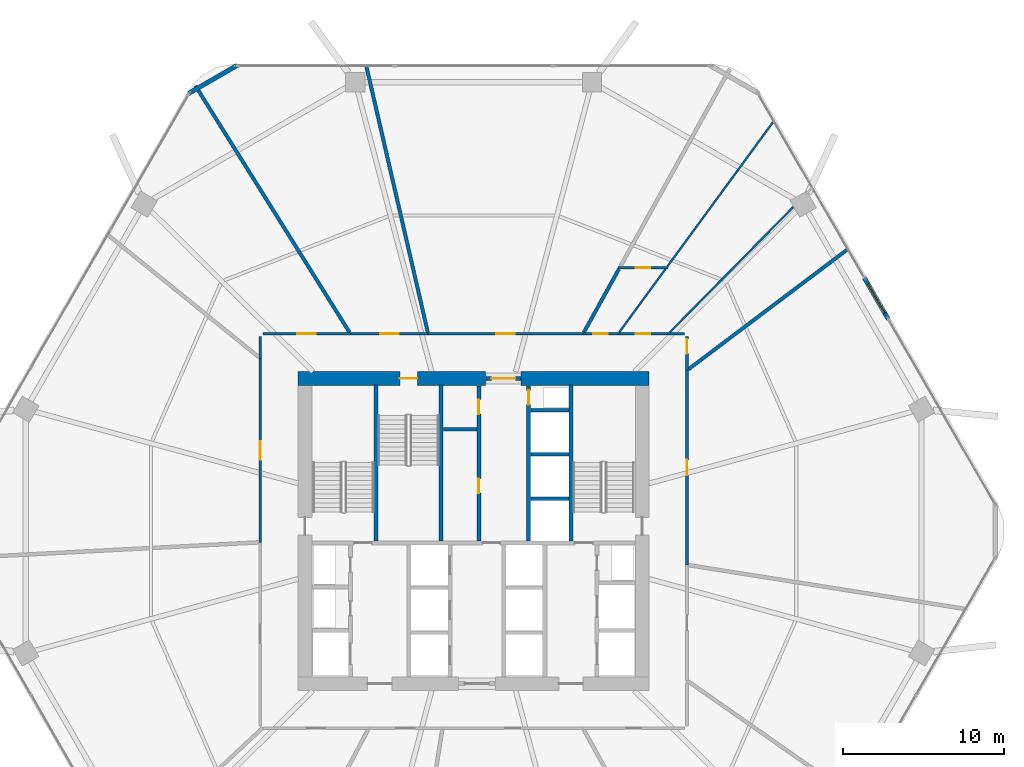
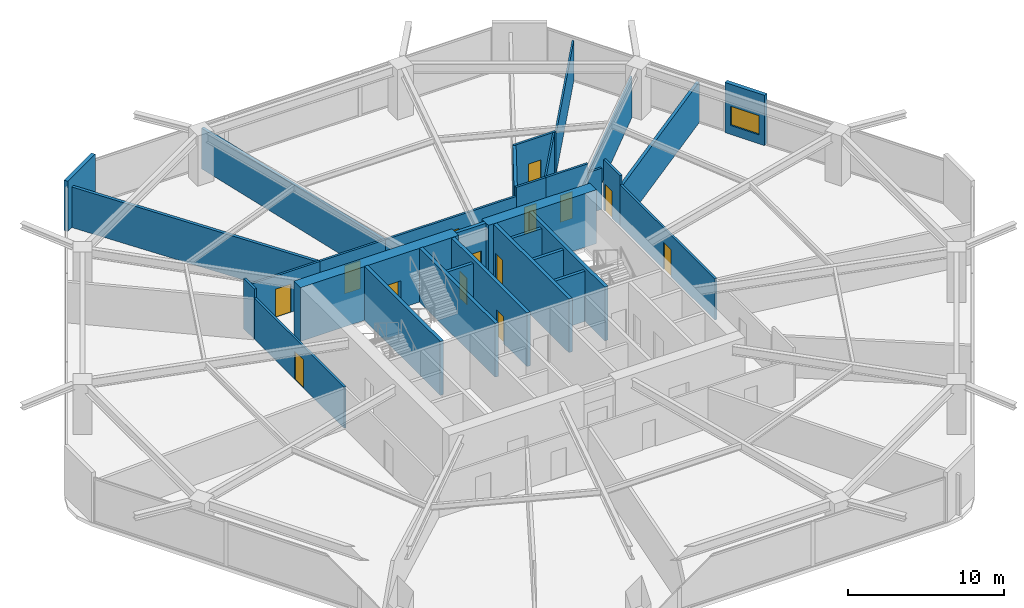
# One storey, part 23 of 25: 32 walls, 14 doors, 1 window, 15 openings.
"""IFC4 building model written with IfcOpenShell, lengths in metres."""

from ifc_helpers import new_model, si_unit, direction, frame, frame_2d, origin, place, context, subcontext, project, spatial, rectangle, extrude, material, layer, layer_set, type_object, element, fill, save


model = new_model("IFC4")

# Units and contexts
model_context = context("Model", 3, precision=1e-05, world=origin(), true_north=direction((0.0, 1.0)))
body_context = subcontext(model_context, "Body", "Model", "MODEL_VIEW")
ifc_project = project(units=[si_unit("LENGTHUNIT", "METRE"), si_unit("AREAUNIT", "SQUARE_METRE"), si_unit("VOLUMEUNIT", "CUBIC_METRE"), si_unit("PLANEANGLEUNIT", "RADIAN"), si_unit("MASSUNIT", "GRAM", prefix="KILO")], contexts=[model_context])

# Site, building, storey
site_placement = place(None, origin())
site = spatial("IfcSite", under=ifc_project, at=site_placement, CompositionType="ELEMENT")
building_placement = place(site_placement, origin())
building = spatial("IfcBuilding", under=site, at=building_placement, Name="Zuhravey Tower", CompositionType="ELEMENT")
storey_placement = place(building_placement, frame((0.0, 0.0, 37.199951171875)))
storey = spatial("IfcBuildingStorey", under=building, at=storey_placement, Name="L09", CompositionType="ELEMENT", Elevation=37.199951171875)

# Wall
ifc_material_1 = material(Name="Concrete C60/75", Category="concrete")
ifc_layer_1 = layer(ifc_material_1, 0.85009765625)
ifc_layer_set_1 = layer_set([ifc_layer_1], Name="Concrete C60/75")
wall_type_1 = type_object("IfcWallType", Name="Core Shear Wall 850", PredefinedType="SHEAR", material=ifc_layer_set_1)
wall_1_placement = place(storey_placement, frame((46.925048828125, 41.5, 0.0), z_axis=(0.0, 0.0, 1.0), x_axis=(-1.0, 0.0, 0.0)))
element("IfcWall", 1, at=wall_1_placement, inside=storey, type_object=wall_type_1, Name="L09 North-East Core Shear Wall CW85", PredefinedType="SHEAR", context=body_context, shape_type="SweptSolid", body=[
    extrude(rectangle(XDim=7.97509765625, YDim=0.85009765625, at=frame_2d((3.987548828125, 0.0))), origin(), (0.0, 0.0, 1.0), 4.199951171875),
])

# Wall, opening, door
wall_2_placement = place(storey_placement, frame((36.75, 41.5, 0.0), z_axis=(0.0, 0.0, 1.0), x_axis=(-1.0, 0.0, 0.0)))
wall_2 = element("IfcWall", 2, at=wall_2_placement, inside=storey, type_object=wall_type_1, Name="L09 North-West Core Shear Wall CW85", PredefinedType="SHEAR", context=body_context, shape_type="SweptSolid", body=[
    extrude(rectangle(XDim=11.675048828125, YDim=0.85009765625, at=frame_2d((5.83740234375, 0.0))), origin(), (0.0, 0.0, 1.0), 4.199951171875),
])
opening_1_placement = place(wall_2_placement, frame((4.25, 0.0, 0.0)))
opening_1 = element("IfcOpeningElement", 3, at=opening_1_placement, cuts=wall_2, Name="Opening STD1", PredefinedType="OPENING", context=body_context, shape_type="SweptSolid", body=[
    extrude(rectangle(XDim=1.10009765625, YDim=2.14990234375, at=frame_2d((0.550048828125, 1.074951171875))), frame((0.0, 0.43701171875, 0.0), z_axis=(0.0, -1.0, 0.0), x_axis=(1.0, 0.0, 0.0)), (0.0, 0.0, 1.0), 0.8740234375),
])
ifc_material_2 = material(Name="Galvanised fire-rated steel leaf", Category="steel")
door_type_1 = type_object("IfcDoorType", Name="Protected Stair Fire Door 1100x2150", OperationType="NOTDEFINED", PredefinedType="USERDEFINED", material=ifc_material_2)
door_1_placement = place(opening_1_placement, origin())
door_1 = element("IfcDoor", 4, at=door_1_placement, inside=storey, type_object=door_type_1, Name="L09 Stair ST3 Door", ObjectType="EXITDOOR", OperationType="SINGLE_SWING_RIGHT", OverallHeight=2.14990234375, OverallWidth=1.10009765625, PredefinedType="USERDEFINED", context=body_context, shape_type="SweptSolid", body=[
    extrude(rectangle(XDim=1.10009765625, YDim=2.14990234375, at=frame_2d((0.550048828125, 1.074951171875))), frame((0.0, 0.02490234375, 0.0), z_axis=(0.0, -1.0, 0.0), x_axis=(1.0, 0.0, 0.0)), (0.0, 0.0, 1.0), 0.050048828125),
])
fill(opening_1, door_1)

ifc_material_3 = material(Name="Gypsum fire-rated stud partition")
ifc_layer_2 = layer(ifc_material_3, 0.159912109375)
ifc_layer_set_2 = layer_set([ifc_layer_2], Name="Gypsum fire-rated stud partition")
wall_type_2 = type_object("IfcWallType", Name="Corridor Fire Partition 160", PredefinedType="PARTITIONING", material=ifc_layer_set_2)
wall_3_placement = place(storey_placement, frame((49.284912109375, 42.010986328125, 0.0), z_axis=(0.0, 0.0, 1.0), x_axis=(0.0, 1.0, 0.0)))
wall_3 = element("IfcWall", 5, at=wall_3_placement, inside=storey, type_object=wall_type_2, Name="L09 IW16 Partition 019", PredefinedType="PARTITIONING", context=body_context, shape_type="SweptSolid", body=[
    extrude(rectangle(XDim=2.114013671875, YDim=0.159912109375, at=frame_2d((1.05712890625, 0.0))), origin(), (0.0, 0.0, 1.0), 3.920166015625),
])
opening_2_placement = place(wall_3_placement, frame((1.047119140625, 0.0, 0.0)))
opening_2 = element("IfcOpeningElement", 6, at=opening_2_placement, cuts=wall_3, Name="Opening RSD1", PredefinedType="OPENING", context=body_context, shape_type="SweptSolid", body=[
    extrude(rectangle(XDim=0.89990234375, YDim=2.10009765625, at=frame_2d((0.449951171875, 1.050048828125))), frame((0.0, 0.092041015625, 0.0), z_axis=(0.0, -1.0, 0.0), x_axis=(1.0, 0.0, 0.0)), (0.0, 0.0, 1.0), 0.183837890625),
])
ifc_material_4 = material(Name="Galvanised fire-rated steel access leaf", Category="steel")
door_type_2 = type_object("IfcDoorType", Name="Riser & Shaft Access Fire Door 900x2100", OperationType="NOTDEFINED", PredefinedType="DOOR", material=ifc_material_4)
door_2_placement = place(opening_2_placement, frame((0.89990234375, 0.0, 0.0), z_axis=(0.0, 0.0, 1.0), x_axis=(-1.0, 0.0, 0.0)))
door_2 = element("IfcDoor", 7, at=door_2_placement, inside=storey, type_object=door_type_2, Name="L09 Door 019.1", OperationType="SINGLE_SWING_RIGHT", OverallHeight=2.10009765625, OverallWidth=0.89990234375, PredefinedType="DOOR", context=body_context, shape_type="SweptSolid", body=[
    extrude(rectangle(XDim=0.89990234375, YDim=2.10009765625, at=frame_2d((0.449951171875, 1.050048828125))), frame((0.0, 0.02490234375, 0.0), z_axis=(0.0, -1.0, 0.0), x_axis=(1.0, 0.0, 0.0)), (0.0, 0.0, 1.0), 0.050048828125),
])
fill(opening_2, door_2)

wall_4_placement = place(storey_placement, frame((48.11474609375, 44.284912109375, 0.0), z_axis=(0.0, 0.0, 1.0), x_axis=(-1.0, 0.0, 0.0)))
wall_4 = element("IfcWall", 8, at=wall_4_placement, inside=storey, type_object=wall_type_2, Name="L09 IW16 Partition 020", PredefinedType="PARTITIONING", context=body_context, shape_type="SweptSolid", body=[
    extrude(rectangle(XDim=3.12353515625, YDim=0.159912109375, at=frame_2d((1.561767578125, 0.0))), origin(), (0.0, 0.0, 1.0), 3.920166015625),
])
opening_3_placement = place(wall_4_placement, frame((1.11181640625, 0.0, 0.0)))
opening_3 = element("IfcOpeningElement", 9, at=opening_3_placement, cuts=wall_4, Name="Opening RSD1", PredefinedType="OPENING", context=body_context, shape_type="SweptSolid", body=[
    extrude(rectangle(XDim=0.89990234375, YDim=2.10009765625, at=frame_2d((0.449951171875, 1.050048828125))), frame((0.0, 0.092041015625, 0.0), z_axis=(0.0, -1.0, 0.0), x_axis=(1.0, 0.0, 0.0)), (0.0, 0.0, 1.0), 0.183837890625),
])
door_3_placement = place(opening_3_placement, frame((0.89990234375, 0.0, 0.0), z_axis=(0.0, 0.0, 1.0), x_axis=(-1.0, 0.0, 0.0)))
door_3 = element("IfcDoor", 10, at=door_3_placement, inside=storey, type_object=door_type_2, Name="L09 Door 020.1", OperationType="SINGLE_SWING_LEFT", OverallHeight=2.10009765625, OverallWidth=0.89990234375, PredefinedType="DOOR", context=body_context, shape_type="SweptSolid", body=[
    extrude(rectangle(XDim=0.89990234375, YDim=2.10009765625, at=frame_2d((0.449951171875, 1.050048828125))), frame((0.0, 0.02490234375, 0.0), z_axis=(0.0, -1.0, 0.0), x_axis=(1.0, 0.0, 0.0)), (0.0, 0.0, 1.0), 0.050048828125),
])
fill(opening_3, door_3)

wall_5_placement = place(storey_placement, frame((45.001953125, 48.405029296875, 0.0), z_axis=(0.0, 0.0, 1.0), x_axis=(1.0, 0.0, 0.0)))
wall_5 = element("IfcWall", 11, at=wall_5_placement, inside=storey, type_object=wall_type_2, Name="L09 IW16 Partition 021", PredefinedType="PARTITIONING", context=body_context, shape_type="SweptSolid", body=[
    extrude(rectangle(XDim=3.103759765625, YDim=0.159912109375, at=frame_2d((1.5517578125, 0.0))), origin(), (0.0, 0.0, 1.0), 3.920166015625),
])
opening_4_placement = place(wall_5_placement, frame((1.101806640625, 0.0, 0.0)))
opening_4 = element("IfcOpeningElement", 12, at=opening_4_placement, cuts=wall_5, Name="Opening RSD1", PredefinedType="OPENING", context=body_context, shape_type="SweptSolid", body=[
    extrude(rectangle(XDim=0.89990234375, YDim=2.10009765625, at=frame_2d((0.449951171875, 1.050048828125))), frame((0.0, 0.092041015625, 0.0), z_axis=(0.0, -1.0, 0.0), x_axis=(1.0, 0.0, 0.0)), (0.0, 0.0, 1.0), 0.183837890625),
])
door_4_placement = place(opening_4_placement, origin())
door_4 = element("IfcDoor", 13, at=door_4_placement, inside=storey, type_object=door_type_2, Name="L09 Door 021.1", OperationType="SINGLE_SWING_RIGHT", OverallHeight=2.10009765625, OverallWidth=0.89990234375, PredefinedType="DOOR", context=body_context, shape_type="SweptSolid", body=[
    extrude(rectangle(XDim=0.89990234375, YDim=2.10009765625, at=frame_2d((0.449951171875, 1.050048828125))), frame((0.0, 0.02490234375, 0.0), z_axis=(0.0, -1.0, 0.0), x_axis=(1.0, 0.0, 0.0)), (0.0, 0.0, 1.0), 0.050048828125),
])
fill(opening_4, door_4)

wall_6_placement = place(storey_placement, frame((44.9912109375, 44.284912109375, 0.0), z_axis=(0.0, 0.0, 1.0), x_axis=(-1.0, 0.0, 0.0)))
wall_6 = element("IfcWall", 14, at=wall_6_placement, inside=storey, type_object=wall_type_2, Name="L09 IW16 Partition 022", PredefinedType="PARTITIONING", context=body_context, shape_type="SweptSolid", body=[
    extrude(rectangle(XDim=2.181396484375, YDim=0.159912109375, at=frame_2d((1.0908203125, 0.0))), origin(), (0.0, 0.0, 1.0), 3.920166015625),
])
opening_5_placement = place(wall_6_placement, frame((0.640869140625, 0.0, 0.0)))
opening_5 = element("IfcOpeningElement", 15, at=opening_5_placement, cuts=wall_6, Name="Opening RSD1", PredefinedType="OPENING", context=body_context, shape_type="SweptSolid", body=[
    extrude(rectangle(XDim=0.89990234375, YDim=2.10009765625, at=frame_2d((0.449951171875, 1.050048828125))), frame((0.0, 0.092041015625, 0.0), z_axis=(0.0, -1.0, 0.0), x_axis=(1.0, 0.0, 0.0)), (0.0, 0.0, 1.0), 0.183837890625),
])
door_5_placement = place(opening_5_placement, frame((0.89990234375, 0.0, 0.0), z_axis=(0.0, 0.0, 1.0), x_axis=(-1.0, 0.0, 0.0)))
door_5 = element("IfcDoor", 16, at=door_5_placement, inside=storey, type_object=door_type_2, Name="L09 Door 022.1", OperationType="SINGLE_SWING_LEFT", OverallHeight=2.10009765625, OverallWidth=0.89990234375, PredefinedType="DOOR", context=body_context, shape_type="SweptSolid", body=[
    extrude(rectangle(XDim=0.89990234375, YDim=2.10009765625, at=frame_2d((0.449951171875, 1.050048828125))), frame((0.0, 0.02490234375, 0.0), z_axis=(0.0, -1.0, 0.0), x_axis=(1.0, 0.0, 0.0)), (0.0, 0.0, 1.0), 0.050048828125),
])
fill(opening_5, door_5)

wall_7_placement = place(storey_placement, frame((42.809814453125, 44.284912109375, 0.0), z_axis=(0.0, 0.0, 1.0), x_axis=(-1.0, 0.0, 0.0)))
wall_7 = element("IfcWall", 17, at=wall_7_placement, inside=storey, type_object=wall_type_2, Name="L09 IW16 Partition 023", PredefinedType="PARTITIONING", context=body_context, shape_type="SweptSolid", body=[
    extrude(rectangle(XDim=9.64599609375, YDim=0.159912109375, at=frame_2d((4.822998046875, 0.0))), origin(), (0.0, 0.0, 1.0), 3.219970703125),
])
opening_6_placement = place(wall_7_placement, frame((4.247802734375, 0.0, 0.0)))
opening_6 = element("IfcOpeningElement", 18, at=opening_6_placement, cuts=wall_7, Name="Opening CLD1", PredefinedType="OPENING", context=body_context, shape_type="SweptSolid", body=[
    extrude(rectangle(XDim=1.14990234375, YDim=2.199951171875, at=frame_2d((0.574951171875, 1.10009765625))), frame((0.0, 0.092041015625, 0.0), z_axis=(0.0, -1.0, 0.0), x_axis=(1.0, 0.0, 0.0)), (0.0, 0.0, 1.0), 0.183837890625),
])
ifc_material_5 = material(Name="Acoustic timber leaf with vision lite", Category="wood")
door_type_3 = type_object("IfcDoorType", Name="Classroom Acoustic Door 1150x2200", OperationType="NOTDEFINED", PredefinedType="DOOR", material=ifc_material_5)
door_6_placement = place(opening_6_placement, frame((1.14990234375, 0.0, 0.0), z_axis=(0.0, 0.0, 1.0), x_axis=(-1.0, 0.0, 0.0)))
door_6 = element("IfcDoor", 19, at=door_6_placement, inside=storey, type_object=door_type_3, Name="L09 Door 023.1", OperationType="SINGLE_SWING_RIGHT", OverallHeight=2.199951171875, OverallWidth=1.14990234375, PredefinedType="DOOR", context=body_context, shape_type="SweptSolid", body=[
    extrude(rectangle(XDim=1.14990234375, YDim=2.199951171875, at=frame_2d((0.574951171875, 1.10009765625))), frame((0.0, 0.02490234375, 0.0), z_axis=(0.0, -1.0, 0.0), x_axis=(1.0, 0.0, 0.0)), (0.0, 0.0, 1.0), 0.050048828125),
])
fill(opening_6, door_6)

wall_8_placement = place(storey_placement, frame((33.163818359375, 44.284912109375, 0.0), z_axis=(0.0, 0.0, 1.0), x_axis=(-1.0, 0.0, 0.0)))
wall_8 = element("IfcWall", 20, at=wall_8_placement, inside=storey, type_object=wall_type_2, Name="L09 IW16 Partition 024", PredefinedType="PARTITIONING", context=body_context, shape_type="SweptSolid", body=[
    extrude(rectangle(XDim=4.84033203125, YDim=0.159912109375, at=frame_2d((2.420166015625, 0.0))), origin(), (0.0, 0.0, 1.0), 3.219970703125),
])
opening_7_placement = place(wall_8_placement, frame((1.84521484375, 0.0, 0.0)))
opening_7 = element("IfcOpeningElement", 21, at=opening_7_placement, cuts=wall_8, Name="Opening CLD1", PredefinedType="OPENING", context=body_context, shape_type="SweptSolid", body=[
    extrude(rectangle(XDim=1.14990234375, YDim=2.199951171875, at=frame_2d((0.574951171875, 1.10009765625))), frame((0.0, 0.092041015625, 0.0), z_axis=(0.0, -1.0, 0.0), x_axis=(1.0, 0.0, 0.0)), (0.0, 0.0, 1.0), 0.183837890625),
])
door_7_placement = place(opening_7_placement, frame((1.14990234375, 0.0, 0.0), z_axis=(0.0, 0.0, 1.0), x_axis=(-1.0, 0.0, 0.0)))
door_7 = element("IfcDoor", 22, at=door_7_placement, inside=storey, type_object=door_type_3, Name="L09 Door 024.1", OperationType="SINGLE_SWING_LEFT", OverallHeight=2.199951171875, OverallWidth=1.14990234375, PredefinedType="DOOR", context=body_context, shape_type="SweptSolid", body=[
    extrude(rectangle(XDim=1.14990234375, YDim=2.199951171875, at=frame_2d((0.574951171875, 1.10009765625))), frame((0.0, 0.02490234375, 0.0), z_axis=(0.0, -1.0, 0.0), x_axis=(1.0, 0.0, 0.0)), (0.0, 0.0, 1.0), 0.050048828125),
])
fill(opening_7, door_7)

wall_9_placement = place(storey_placement, frame((28.323486328125, 44.284912109375, 0.0), z_axis=(0.0, 0.0, 1.0), x_axis=(-1.0, 0.0, 0.0)))
wall_9 = element("IfcWall", 23, at=wall_9_placement, inside=storey, type_object=wall_type_2, Name="L09 IW16 Partition 025", PredefinedType="PARTITIONING", context=body_context, shape_type="SweptSolid", body=[
    extrude(rectangle(XDim=5.448486328125, YDim=0.159912109375, at=frame_2d((2.72412109375, 0.0))), origin(), (0.0, 0.0, 1.0), 3.219970703125),
])
opening_8_placement = place(wall_9_placement, frame((2.149169921875, 0.0, 0.0)))
opening_8 = element("IfcOpeningElement", 24, at=opening_8_placement, cuts=wall_9, Name="Opening CLD1", PredefinedType="OPENING", context=body_context, shape_type="SweptSolid", body=[
    extrude(rectangle(XDim=1.14990234375, YDim=2.199951171875, at=frame_2d((0.574951171875, 1.10009765625))), frame((0.0, 0.092041015625, 0.0), z_axis=(0.0, -1.0, 0.0), x_axis=(1.0, 0.0, 0.0)), (0.0, 0.0, 1.0), 0.183837890625),
])
door_8_placement = place(opening_8_placement, frame((1.14990234375, 0.0, 0.0), z_axis=(0.0, 0.0, 1.0), x_axis=(-1.0, 0.0, 0.0)))
door_8 = element("IfcDoor", 25, at=door_8_placement, inside=storey, type_object=door_type_3, Name="L09 Door 025.1", OperationType="SINGLE_SWING_RIGHT", OverallHeight=2.199951171875, OverallWidth=1.14990234375, PredefinedType="DOOR", context=body_context, shape_type="SweptSolid", body=[
    extrude(rectangle(XDim=1.14990234375, YDim=2.199951171875, at=frame_2d((0.574951171875, 1.10009765625))), frame((0.0, 0.02490234375, 0.0), z_axis=(0.0, -1.0, 0.0), x_axis=(1.0, 0.0, 0.0)), (0.0, 0.0, 1.0), 0.050048828125),
])
fill(opening_8, door_8)

wall_10_placement = place(storey_placement, frame((22.715087890625, 42.758056640625, 0.0), z_axis=(0.0, 0.0, 1.0), x_axis=(0.0, -1.0, 0.0)))
wall_10 = element("IfcWall", 26, at=wall_10_placement, inside=storey, type_object=wall_type_2, Name="L09 IW16 Partition 026", PredefinedType="PARTITIONING", context=body_context, shape_type="SweptSolid", body=[
    extrude(rectangle(XDim=11.454345703125, YDim=0.159912109375, at=frame_2d((5.72705078125, 0.0))), origin(), (0.0, 0.0, 1.0), 3.219970703125),
])
opening_9_placement = place(wall_10_placement, frame((5.152099609375, 0.0, 0.0)))
opening_9 = element("IfcOpeningElement", 27, at=opening_9_placement, cuts=wall_10, Name="Opening CLD1", PredefinedType="OPENING", context=body_context, shape_type="SweptSolid", body=[
    extrude(rectangle(XDim=1.14990234375, YDim=2.199951171875, at=frame_2d((0.574951171875, 1.10009765625))), frame((0.0, 0.092041015625, 0.0), z_axis=(0.0, -1.0, 0.0), x_axis=(1.0, 0.0, 0.0)), (0.0, 0.0, 1.0), 0.183837890625),
])
door_9_placement = place(opening_9_placement, frame((1.14990234375, 0.0, 0.0), z_axis=(0.0, 0.0, 1.0), x_axis=(-1.0, 0.0, 0.0)))
door_9 = element("IfcDoor", 28, at=door_9_placement, inside=storey, type_object=door_type_3, Name="L09 Door 026.1", OperationType="SINGLE_SWING_LEFT", OverallHeight=2.199951171875, OverallWidth=1.14990234375, PredefinedType="DOOR", context=body_context, shape_type="SweptSolid", body=[
    extrude(rectangle(XDim=1.14990234375, YDim=2.199951171875, at=frame_2d((0.574951171875, 1.10009765625))), frame((0.0, 0.02490234375, 0.0), z_axis=(0.0, -1.0, 0.0), x_axis=(1.0, 0.0, 0.0)), (0.0, 0.0, 1.0), 0.050048828125),
])
fill(opening_9, door_9)

wall_11_placement = place(storey_placement, frame((49.284912109375, 29.89599609375, 0.0), z_axis=(0.0, 0.0, 1.0), x_axis=(0.0, 1.0, 0.0)))
wall_11 = element("IfcWall", 29, at=wall_11_placement, inside=storey, type_object=wall_type_2, Name="L09 IW16 Partition 033", PredefinedType="PARTITIONING", context=body_context, shape_type="SweptSolid", body=[
    extrude(rectangle(XDim=12.114990234375, YDim=0.159912109375, at=frame_2d((6.0576171875, 0.0))), origin(), (0.0, 0.0, 1.0), 3.219970703125),
])
opening_10_placement = place(wall_11_placement, frame((5.58251953125, 0.0, 0.0)))
opening_10 = element("IfcOpeningElement", 30, at=opening_10_placement, cuts=wall_11, Name="Opening IND1", PredefinedType="OPENING", context=body_context, shape_type="SweptSolid", body=[
    extrude(rectangle(XDim=0.949951171875, YDim=2.10009765625, at=frame_2d((0.47509765625, 1.050048828125))), frame((0.0, 0.092041015625, 0.0), z_axis=(0.0, -1.0, 0.0), x_axis=(1.0, 0.0, 0.0)), (0.0, 0.0, 1.0), 0.183837890625),
])
ifc_material_6 = material(Name="Painted engineered timber leaf", Category="wood")
door_type_4 = type_object("IfcDoorType", Name="Internal Room & Bedroom Door 950x2100", OperationType="NOTDEFINED", PredefinedType="DOOR", material=ifc_material_6)
door_10_placement = place(opening_10_placement, frame((0.949951171875, 0.0, 0.0), z_axis=(0.0, 0.0, 1.0), x_axis=(-1.0, 0.0, 0.0)))
door_10 = element("IfcDoor", 31, at=door_10_placement, inside=storey, type_object=door_type_4, Name="L09 Door 033.1", OperationType="SINGLE_SWING_RIGHT", OverallHeight=2.10009765625, OverallWidth=0.949951171875, PredefinedType="DOOR", context=body_context, shape_type="SweptSolid", body=[
    extrude(rectangle(XDim=0.949951171875, YDim=2.10009765625, at=frame_2d((0.47509765625, 1.050048828125))), frame((0.0, 0.02490234375, 0.0), z_axis=(0.0, -1.0, 0.0), x_axis=(1.0, 0.0, 0.0)), (0.0, 0.0, 1.0), 0.050048828125),
])
fill(opening_10, door_10)

# Walls
wall_12_placement = place(storey_placement, frame((49.125, 44.284912109375, 0.0), z_axis=(0.0, 0.0, 1.0), x_axis=(-1.0, 0.0, 0.0)))
element("IfcWall", 32, at=wall_12_placement, inside=storey, type_object=wall_type_2, Name="L09 IW16 Partition 043", PredefinedType="PARTITIONING", context=body_context, shape_type="SweptSolid", body=[
    extrude(rectangle(XDim=1.01025390625, YDim=0.159912109375, at=frame_2d((0.505126953125, 0.0))), origin(), (0.0, 0.0, 1.0), 3.219970703125),
])
wall_13_placement = place(storey_placement, frame((22.715087890625, 44.125, 0.0), z_axis=(0.0, 0.0, 1.0), x_axis=(0.0, -1.0, 0.0)))
element("IfcWall", 33, at=wall_13_placement, inside=storey, type_object=wall_type_2, Name="L09 IW16 Partition 052", PredefinedType="PARTITIONING", context=body_context, shape_type="SweptSolid", body=[
    extrude(rectangle(XDim=1.366943359375, YDim=0.159912109375, at=frame_2d((0.68359375, 0.0))), origin(), (0.0, 0.0, 1.0), 3.920166015625),
])
ifc_material_7 = material(Name="Precast concrete C40/50", Category="concrete")
ifc_layer_3 = layer(ifc_material_7, 0.280029296875)
ifc_layer_set_3 = layer_set([ifc_layer_3], Name="Precast concrete C40/50")
wall_type_3 = type_object("IfcWallType", Name="Crown Architectural Wall 280", PredefinedType="SOLIDWALL", material=ifc_layer_set_3)
wall_14_placement = place(storey_placement, frame((18.23876953125, 59.24853515625, 0.0), z_axis=(0.0, 0.0, 1.0), x_axis=(0.866007452331, 0.500031091541, 0.0)))
element("IfcWall", 34, at=wall_14_placement, inside=storey, type_object=wall_type_3, Name="L09 Rounded Corner Closure Wall EW28-08", PredefinedType="SOLIDWALL", context=body_context, shape_type="SweptSolid", body=[
    extrude(rectangle(XDim=3.514892578125, YDim=0.280029296875, at=frame_2d((1.75732421875, 0.0))), origin(), (0.0, 0.0, 1.0), 3.920166015625),
])

# Wall, opening, window
wall_15_placement = place(storey_placement, frame((60.34375, 47.752197265625, 0.0), z_axis=(0.0, 0.0, 1.0), x_axis=(0.500024377727, -0.866011328839, 0.0)))
wall_15 = element("IfcWall", 35, at=wall_15_placement, inside=storey, type_object=wall_type_3, Name="L09 Face 1 Facade Pier EW28-1", PredefinedType="SOLIDWALL", context=body_context, shape_type="SweptSolid", body=[
    extrude(rectangle(XDim=2.939697265625, YDim=0.280029296875, at=frame_2d((1.4697265625, 0.0))), origin(), (0.0, 0.0, 1.0), 3.920166015625),
])
opening_11_placement = place(wall_15_placement, frame((0.419921875, 0.0, 0.699951171875)))
opening_11 = element("IfcOpeningElement", 36, at=opening_11_placement, cuts=wall_15, Name="Opening WN3", PredefinedType="OPENING", context=body_context, shape_type="SweptSolid", body=[
    extrude(rectangle(XDim=2.10009765625, YDim=1.5, at=frame_2d((1.050048828125, 0.75))), frame((0.0, 0.152099609375, 0.0), z_axis=(0.0, -1.0, 0.0), x_axis=(1.0, 0.0, 0.0)), (0.0, 0.0, 1.0), 0.303955078125),
])
ifc_material_8 = material(Name="Thermally broken aluminium and triple low-E glass", Category="aluminium")
window_type = type_object("IfcWindowType", Name="School Pavilion Window 2100x1500", PartitioningType="SINGLE_PANEL", PredefinedType="WINDOW", material=ifc_material_8)
window_placement = place(opening_11_placement, origin())
window = element("IfcWindow", 37, at=window_placement, inside=storey, type_object=window_type, Name="L09 Face 1 Feature Window", OverallHeight=1.5, OverallWidth=2.10009765625, PartitioningType="SINGLE_PANEL", PredefinedType="WINDOW", context=body_context, shape_type="SweptSolid", body=[
    extrude(rectangle(XDim=2.10009765625, YDim=1.5, at=frame_2d((1.050048828125, 0.75))), frame((0.0, 0.030029296875, 0.0), z_axis=(0.0, -1.0, 0.0), x_axis=(1.0, 0.0, 0.0)), (0.0, 0.0, 1.0), 0.06005859375),
])
fill(opening_11, window)

# Wall, opening, door
ifc_material_9 = material(Name="Concrete C50/60", Category="concrete")
ifc_layer_4 = layer(ifc_material_9, 0.25)
ifc_layer_set_4 = layer_set([ifc_layer_4], Name="Concrete C50/60")
wall_type_4 = type_object("IfcWallType", Name="Firefighting Shaft & Stair Wall 250", PredefinedType="SOLIDWALL", material=ifc_layer_set_4)
wall_16_placement = place(storey_placement, frame((36.760009765625, 41.5, 0.0), z_axis=(0.0, 0.0, 1.0), x_axis=(1.0, 0.0, 0.0)))
wall_16 = element("IfcWall", 38, at=wall_16_placement, inside=storey, type_object=wall_type_4, Name="L09 FW25 Shaft Wall 002", PredefinedType="SOLIDWALL", context=body_context, shape_type="SweptSolid", body=[
    extrude(rectangle(XDim=2.179931640625, YDim=0.25, at=frame_2d((1.08984375, 0.0))), origin(), (0.0, 0.0, 1.0), 4.199951171875),
])
opening_12_placement = place(wall_16_placement, frame((0.340087890625, 0.0, 0.0)))
opening_12 = element("IfcOpeningElement", 39, at=opening_12_placement, cuts=wall_16, Name="Opening FFD1", PredefinedType="OPENING", context=body_context, shape_type="SweptSolid", body=[
    extrude(rectangle(XDim=1.5, YDim=2.14990234375, at=frame_2d((0.75, 1.074951171875))), frame((0.0, 0.136962890625, 0.0), z_axis=(0.0, -1.0, 0.0), x_axis=(1.0, 0.0, 0.0)), (0.0, 0.0, 1.0), 0.27392578125),
])
door_type_5 = type_object("IfcDoorType", Name="Firefighting Lobby Double Door 1500x2150", OperationType="DOUBLE_DOOR_SINGLE_SWING", PredefinedType="DOOR", material=ifc_material_2)
door_11_placement = place(opening_12_placement, origin())
door_11 = element("IfcDoor", 40, at=door_11_placement, inside=storey, type_object=door_type_5, Name="L09 North Lift Lobby Exit Door", OperationType="DOUBLE_DOOR_SINGLE_SWING", OverallHeight=2.14990234375, OverallWidth=1.5, PredefinedType="DOOR", context=body_context, shape_type="SweptSolid", body=[
    extrude(rectangle(XDim=1.5, YDim=2.14990234375, at=frame_2d((0.75, 1.074951171875))), frame((0.0, 0.02490234375, 0.0), z_axis=(0.0, -1.0, 0.0), x_axis=(1.0, 0.0, 0.0)), (0.0, 0.0, 1.0), 0.050048828125),
])
fill(opening_12, door_11)

# Walls
for number, where, z_axis, x_axis, name in (
    (41, (29.925048828125, 31.39990234375, 0.0), (0.0, 0.0, 1.0), (0.0, 1.0, 0.0), "L09 FW25 Shaft Wall 004"),
    (42, (33.97509765625, 31.39990234375, 0.0), (0.0, 0.0, 1.0), (0.0, 1.0, 0.0), "L09 FW25 Shaft Wall 005"),
    (43, (42.074951171875, 31.39990234375, 0.0), (0.0, 0.0, 1.0), (0.0, 1.0, 0.0), "L09 FW25 Shaft Wall 006"),
):
    element("IfcWall", number, at=place(storey_placement, frame(where, z_axis=z_axis, x_axis=x_axis)), inside=storey, type_object=wall_type_4, Name=name, PredefinedType="SOLIDWALL", context=body_context, shape_type="SweptSolid", body=[
        extrude(rectangle(XDim=9.7001953125, YDim=0.25, at=frame_2d((4.85009765625, 0.0))), origin(), (0.0, 0.0, 1.0), 4.199951171875),
    ])

# Wall, openings, doors
wall_17_placement = place(storey_placement, frame((36.324951171875, 31.39990234375, 0.0), z_axis=(0.0, 0.0, 1.0), x_axis=(0.0, 1.0, 0.0)))
wall_17 = element("IfcWall", 44, at=wall_17_placement, inside=storey, type_object=wall_type_4, Name="L09 FW25 Shaft Wall 007", PredefinedType="SOLIDWALL", context=body_context, shape_type="SweptSolid", body=[
    extrude(rectangle(XDim=9.650146484375, YDim=0.25, at=frame_2d((4.8251953125, 0.0))), origin(), (0.0, 0.0, 1.0), 4.199951171875),
])
opening_13_placement = place(wall_17_placement, frame((2.965087890625, 0.0, 0.0)))
opening_13 = element("IfcOpeningElement", 45, at=opening_13_placement, cuts=wall_17, Name="Opening RSD1", PredefinedType="OPENING", context=body_context, shape_type="SweptSolid", body=[
    extrude(rectangle(XDim=0.89990234375, YDim=2.10009765625, at=frame_2d((0.449951171875, 1.050048828125))), frame((0.0, 0.136962890625, 0.0), z_axis=(0.0, -1.0, 0.0), x_axis=(1.0, 0.0, 0.0)), (0.0, 0.0, 1.0), 0.27392578125),
])
opening_14_placement = place(wall_17_placement, frame((7.885009765625, 0.0, 0.0)))
opening_14 = element("IfcOpeningElement", 46, at=opening_14_placement, cuts=wall_17, Name="Opening RSD1", PredefinedType="OPENING", context=body_context, shape_type="SweptSolid", body=[
    extrude(rectangle(XDim=0.89990234375, YDim=2.10009765625, at=frame_2d((0.449951171875, 1.050048828125))), frame((0.0, 0.136962890625, 0.0), z_axis=(0.0, -1.0, 0.0), x_axis=(1.0, 0.0, 0.0)), (0.0, 0.0, 1.0), 0.27392578125),
])
door_12_placement = place(opening_13_placement, origin())
door_12 = element("IfcDoor", 47, at=door_12_placement, inside=storey, type_object=door_type_2, Name="L09 Equipment and Refuse Store Door", OperationType="SINGLE_SWING_RIGHT", OverallHeight=2.10009765625, OverallWidth=0.89990234375, PredefinedType="DOOR", context=body_context, shape_type="SweptSolid", body=[
    extrude(rectangle(XDim=0.89990234375, YDim=2.10009765625, at=frame_2d((0.449951171875, 1.050048828125))), frame((0.0, 0.02490234375, 0.0), z_axis=(0.0, -1.0, 0.0), x_axis=(1.0, 0.0, 0.0)), (0.0, 0.0, 1.0), 0.050048828125),
])
fill(opening_13, door_12)
door_13_placement = place(opening_14_placement, origin())
door_13 = element("IfcDoor", 48, at=door_13_placement, inside=storey, type_object=door_type_2, Name="L09 BMS Control Room Door", OperationType="SINGLE_SWING_LEFT", OverallHeight=2.10009765625, OverallWidth=0.89990234375, PredefinedType="DOOR", context=body_context, shape_type="SweptSolid", body=[
    extrude(rectangle(XDim=0.89990234375, YDim=2.10009765625, at=frame_2d((0.449951171875, 1.050048828125))), frame((0.0, 0.02490234375, 0.0), z_axis=(0.0, -1.0, 0.0), x_axis=(1.0, 0.0, 0.0)), (0.0, 0.0, 1.0), 0.050048828125),
])
fill(opening_14, door_13)

# Wall, opening, door
wall_18_placement = place(storey_placement, frame((39.425048828125, 31.39990234375, 0.0), z_axis=(0.0, 0.0, 1.0), x_axis=(0.0, 1.0, 0.0)))
wall_18 = element("IfcWall", 49, at=wall_18_placement, inside=storey, type_object=wall_type_4, Name="L09 FW25 Shaft Wall 008", PredefinedType="SOLIDWALL", context=body_context, shape_type="SweptSolid", body=[
    extrude(rectangle(XDim=9.650146484375, YDim=0.25, at=frame_2d((4.8251953125, 0.0))), origin(), (0.0, 0.0, 1.0), 4.199951171875),
])
opening_15_placement = place(wall_18_placement, frame((8.469970703125, 0.0, 0.0)))
opening_15 = element("IfcOpeningElement", 50, at=opening_15_placement, cuts=wall_18, Name="Opening RSD1", PredefinedType="OPENING", context=body_context, shape_type="SweptSolid", body=[
    extrude(rectangle(XDim=0.89990234375, YDim=2.10009765625, at=frame_2d((0.449951171875, 1.050048828125))), frame((0.0, 0.136962890625, 0.0), z_axis=(0.0, -1.0, 0.0), x_axis=(1.0, 0.0, 0.0)), (0.0, 0.0, 1.0), 0.27392578125),
])
door_14_placement = place(opening_15_placement, origin())
door_14 = element("IfcDoor", 51, at=door_14_placement, inside=storey, type_object=door_type_2, Name="L09 North Riser Door", OperationType="SINGLE_SWING_RIGHT", OverallHeight=2.10009765625, OverallWidth=0.89990234375, PredefinedType="DOOR", context=body_context, shape_type="SweptSolid", body=[
    extrude(rectangle(XDim=0.89990234375, YDim=2.10009765625, at=frame_2d((0.449951171875, 1.050048828125))), frame((0.0, 0.02490234375, 0.0), z_axis=(0.0, -1.0, 0.0), x_axis=(1.0, 0.0, 0.0)), (0.0, 0.0, 1.0), 0.050048828125),
])
fill(opening_15, door_14)

# Walls
ifc_material_10 = material(Name="Gypsum acoustic stud assembly")
ifc_layer_5 = layer(ifc_material_10, 0.219970703125)
ifc_layer_set_5 = layer_set([ifc_layer_5], Name="Gypsum acoustic stud assembly")
wall_type_5 = type_object("IfcWallType", Name="School Acoustic Compartment Wall 220", PredefinedType="PARTITIONING", material=ifc_layer_set_5)
wall_19_placement = place(storey_placement, frame((34.10791015625, 38.35009765625, 0.0), z_axis=(0.0, 0.0, 1.0), x_axis=(1.0, 0.0, 0.0)))
element("IfcWall", 52, at=wall_19_placement, inside=storey, type_object=wall_type_5, Name="L09 IW22 Partition 034", PredefinedType="PARTITIONING", context=body_context, shape_type="SweptSolid", body=[
    extrude(rectangle(XDim=2.083984375, YDim=0.219970703125, at=frame_2d((1.0419921875, 0.0))), origin(), (0.0, 0.0, 1.0), 3.920166015625),
])
for number, where, z_axis, x_axis, name in (
    (53, (39.55810546875, 34.02490234375, 0.0), (0.0, 0.0, 1.0), (1.0, 0.0, 0.0), "L09 IW22 Partition 035"),
    (54, (39.55810546875, 36.77490234375, 0.0), (0.0, 0.0, 1.0), (1.0, 0.0, 0.0), "L09 IW22 Partition 036"),
    (55, (39.55810546875, 39.52490234375, 0.0), (0.0, 0.0, 1.0), (1.0, 0.0, 0.0), "L09 IW22 Partition 037"),
):
    element("IfcWall", number, at=place(storey_placement, frame(where, z_axis=z_axis, x_axis=x_axis)), inside=storey, type_object=wall_type_5, Name=name, PredefinedType="PARTITIONING", context=body_context, shape_type="SweptSolid", body=[
        extrude(rectangle(XDim=2.3837890625, YDim=0.219970703125, at=frame_2d((1.19189453125, 0.0))), origin(), (0.0, 0.0, 1.0), 3.920166015625),
    ])
wall_20_placement = place(storey_placement, frame((49.373046875, 42.077392578125, 0.0), z_axis=(0.0, 0.0, 1.0), x_axis=(0.798630996951, 0.601821012187, 0.0)))
element("IfcWall", 56, at=wall_20_placement, inside=storey, type_object=wall_type_5, Name="L09 IW22 Partition 042", PredefinedType="PARTITIONING", context=body_context, shape_type="SweptSolid", body=[
    extrude(rectangle(XDim=12.430908203125, YDim=0.219970703125, at=frame_2d((6.21533203125, 0.0))), origin(), (0.0, 0.0, 1.0), 3.170166015625),
])
wall_21_placement = place(storey_placement, frame((42.8583984375, 44.373046875, 0.0), z_axis=(0.0, 0.0, 1.0), x_axis=(0.484838262691, 0.87460382976, 0.0)))
element("IfcWall", 57, at=wall_21_placement, inside=storey, type_object=wall_type_5, Name="L09 IW22 Partition 048", PredefinedType="PARTITIONING", context=body_context, shape_type="SweptSolid", body=[
    extrude(rectangle(XDim=4.50927734375, YDim=0.219970703125, at=frame_2d((2.254638671875, 0.0))), origin(), (0.0, 0.0, 1.0), 3.920166015625),
])
wall_22_placement = place(storey_placement, frame((33.1435546875, 44.373046875, 0.0), z_axis=(0.0, 0.0, 1.0), x_axis=(-0.224953781902, 0.974369435075, 0.0)))
element("IfcWall", 58, at=wall_22_placement, inside=storey, type_object=wall_type_5, Name="L09 IW22 Partition 050", PredefinedType="PARTITIONING", context=body_context, shape_type="SweptSolid", body=[
    extrude(rectangle(XDim=17.021728515625, YDim=0.219970703125, at=frame_2d((8.5107421875, 0.0))), origin(), (0.0, 0.0, 1.0), 3.170166015625),
])
wall_23_placement = place(storey_placement, frame((28.2685546875, 44.373046875, 0.0), z_axis=(0.0, 0.0, 1.0), x_axis=(-0.529928627855, 0.848042245044, 0.0)))
element("IfcWall", 59, at=wall_23_placement, inside=storey, type_object=wall_type_5, Name="L09 IW22 Partition 051", PredefinedType="PARTITIONING", context=body_context, shape_type="SweptSolid", body=[
    extrude(rectangle(XDim=18.10302734375, YDim=0.219970703125, at=frame_2d((9.051513671875, 0.0))), origin(), (0.0, 0.0, 1.0), 3.170166015625),
])
ifc_material_11 = material(Name="Gypsum metal-stud partition")
ifc_layer_6 = layer(ifc_material_11, 0.1201171875)
ifc_layer_set_6 = layer_set([ifc_layer_6], Name="Gypsum metal-stud partition")
wall_type_6 = type_object("IfcWallType", Name="Unit Internal Partition 120", PredefinedType="PARTITIONING", material=ifc_layer_set_6)
wall_24_placement = place(storey_placement, frame((48.201416015625, 44.373046875, 0.0), z_axis=(0.0, 0.0, 1.0), x_axis=(0.702156728527, 0.712022421405, 0.0)))
element("IfcWall", 60, at=wall_24_placement, inside=storey, type_object=wall_type_6, Name="L09 IW12 Partition 044", PredefinedType="PARTITIONING", context=body_context, shape_type="SweptSolid", body=[
    extrude(rectangle(XDim=10.962646484375, YDim=0.1201171875, at=frame_2d((5.4814453125, 0.0))), origin(), (0.0, 0.0, 1.0), 3.219970703125),
])
wall_25_placement = place(storey_placement, frame((45.0556640625, 44.373046875, 0.0), z_axis=(0.0, 0.0, 1.0), x_axis=(0.590607595118, 0.806958901425, 0.0)))
element("IfcWall", 61, at=wall_25_placement, inside=storey, type_object=wall_type_6, Name="L09 IW12 Partition 046", PredefinedType="PARTITIONING", context=body_context, shape_type="SweptSolid", body=[
    extrude(rectangle(XDim=4.88720703125, YDim=0.1201171875, at=frame_2d((2.443603515625, 0.0))), origin(), (0.0, 0.0, 1.0), 3.920166015625),
])
wall_26_placement = place(storey_placement, frame((48.071044921875, 48.492919921875, 0.0), z_axis=(0.0, 0.0, 1.0), x_axis=(0.590600620108, 0.80696400634, 0.0)))
element("IfcWall", 62, at=wall_26_placement, inside=storey, type_object=wall_type_6, Name="L09 IW12 Partition 047", PredefinedType="PARTITIONING", context=body_context, shape_type="SweptSolid", body=[
    extrude(rectangle(XDim=11.211669921875, YDim=0.1201171875, at=frame_2d((5.60595703125, 0.0))), origin(), (0.0, 0.0, 1.0), 3.170166015625),
])

save(model, "model.ifc")
